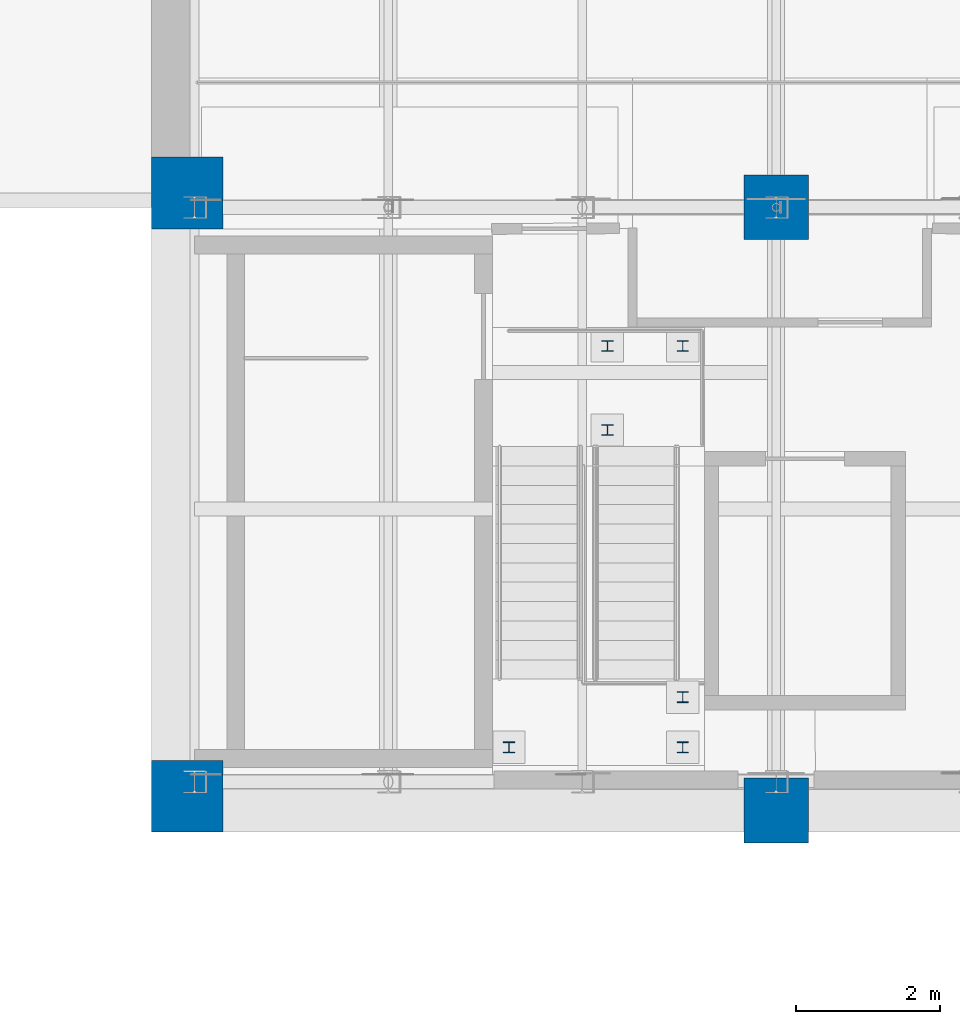
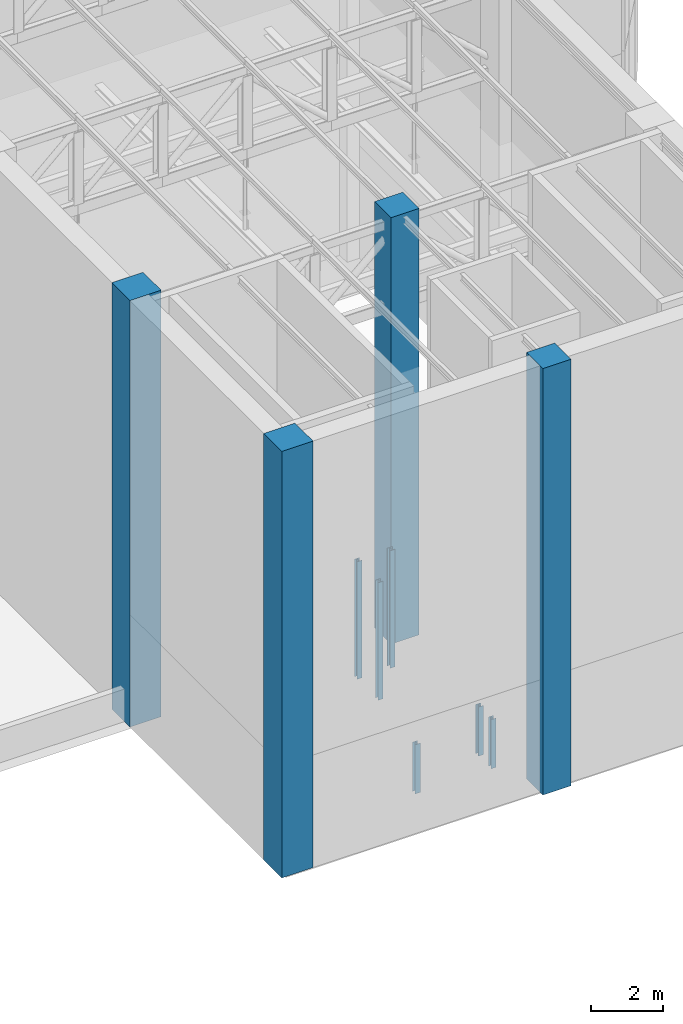
# One storey, part 1 of 68: 10 columns.
"""IFC4 building model written with IfcOpenShell, lengths in metres."""

from ifc_helpers import new_model, si_unit, direction, frame, origin, origin_2d, place, context, subcontext, project, spatial, rectangle, i_section, extrude, material, material_profile, profile_set, type_object, element, save


model = new_model("IFC4")

# Units and contexts
model_context = context("Model", 3, precision=1e-05, world=origin(), true_north=direction((0.0, 1.0)))
body_context = subcontext(model_context, "Body", "Model", "MODEL_VIEW")
ifc_project = project(units=[si_unit("LENGTHUNIT", "METRE"), si_unit("AREAUNIT", "SQUARE_METRE"), si_unit("VOLUMEUNIT", "CUBIC_METRE"), si_unit("PLANEANGLEUNIT", "RADIAN"), si_unit("MASSUNIT", "GRAM", prefix="KILO")], contexts=[model_context])

# Site, building, storey
site_placement = place(None, origin())
site = spatial("IfcSite", under=ifc_project, at=site_placement, CompositionType="ELEMENT")
building_placement = place(site_placement, origin())
building = spatial("IfcBuilding", under=site, at=building_placement, Name="Larchfold Concert Hall", CompositionType="ELEMENT")
storey_placement = place(building_placement, frame((0.0, 0.0, 28.800048828125)))
storey = spatial("IfcBuildingStorey", under=building, at=storey_placement, Name="L06", CompositionType="ELEMENT", Elevation=28.800048828125)

# Columns
ifc_material_1 = material(Name="Concrete C35/45", Category="concrete")
ifc_material_profile_1 = material_profile(ifc_material_1, rectangle(XDim=1.0, YDim=1.0, at=origin_2d()))
ifc_profile_set_1 = profile_set([ifc_material_profile_1], Name="Concrete C35/45")
column_type_1 = type_object("IfcColumnType", Name="Column RC 1000x1000", PredefinedType="COLUMN", material=ifc_profile_set_1)
for number, where, z_axis, x_axis, name in (
    (1, (34.39990234375, 34.39990234375, 0.0), (0.0, 0.0, 1.0), (1.0, 0.0, 0.0), "Column C0001"),
    (2, (34.39990234375, 42.800048828125, 0.0), (0.0, 0.0, 1.0), (1.0, 0.0, 0.0), "Column C0002"),
):
    element("IfcColumn", number, at=place(storey_placement, frame(where, z_axis=z_axis, x_axis=x_axis)), inside=storey, type_object=column_type_1, Name=name, PredefinedType="COLUMN", context=body_context, shape_type="SweptSolid", body=[
        extrude(rectangle(XDim=1.0, YDim=1.0, at=origin_2d()), origin(), (0.0, 0.0, 1.0), 14.39990234375),
    ])
ifc_material_2 = material(Name="Concrete C35/45", Category="concrete")
ifc_material_profile_2 = material_profile(ifc_material_2, rectangle(XDim=0.89990234375, YDim=0.89990234375, at=origin_2d()))
ifc_profile_set_2 = profile_set([ifc_material_profile_2], Name="Concrete C35/45")
column_type_2 = type_object("IfcColumnType", Name="Column RC 900x900", PredefinedType="COLUMN", material=ifc_profile_set_2)
for number, where, z_axis, x_axis, name in (
    (3, (42.60009765625, 34.199951171875, 0.0), (0.0, 0.0, 1.0), (1.0, 0.0, 0.0), "Column C0005"),
    (4, (42.60009765625, 42.60009765625, 0.0), (0.0, 0.0, 1.0), (1.0, 0.0, 0.0), "Column C0006"),
):
    element("IfcColumn", number, at=place(storey_placement, frame(where, z_axis=z_axis, x_axis=x_axis)), inside=storey, type_object=column_type_2, Name=name, PredefinedType="COLUMN", context=body_context, shape_type="SweptSolid", body=[
        extrude(rectangle(XDim=0.89990234375, YDim=0.89990234375, at=origin_2d()), origin(), (0.0, 0.0, 1.0), 14.39990234375),
    ])
ifc_material_3 = material(Name="Steel S355", Category="steel")
ifc_material_profile_3 = material_profile(ifc_material_3, i_section(OverallWidth=0.159912109375, OverallDepth=0.152099609375, WebThickness=0.006103515625, FlangeThickness=0.009033203125, FilletRadius=0.014892578125, at=origin_2d()))
ifc_profile_set_3 = profile_set([ifc_material_profile_3], Name="Steel S355")
column_type_3 = type_object("IfcColumnType", Name="Steel column HEA 160", PredefinedType="COLUMN", material=ifc_profile_set_3)
for number, where, z_axis, x_axis, name in (
    (5, (38.8798828125, 35.080078125, 0.449951171875), (0.0, 0.0, 1.0), (1.0, 0.0, 0.0), "Column C0011"),
    (6, (41.300048828125, 35.080078125, 0.449951171875), (0.0, 0.0, 1.0), (1.0, 0.0, 0.0), "Column C0012"),
    (7, (41.300048828125, 35.780029296875, 0.449951171875), (0.0, 0.0, 1.0), (1.0, 0.0, 0.0), "Column C0013"),
):
    element("IfcColumn", number, at=place(storey_placement, frame(where, z_axis=z_axis, x_axis=x_axis)), inside=storey, type_object=column_type_3, Name=name, PredefinedType="COLUMN", context=body_context, shape_type="SweptSolid", body=[
        extrude(i_section(OverallWidth=0.159912109375, OverallDepth=0.152099609375, WebThickness=0.006103515625, FlangeThickness=0.009033203125, FilletRadius=0.014892578125, at=origin_2d()), origin(), (0.0, 0.0, 1.0), 1.659423828125),
    ])
for number, where, z_axis, x_axis, name in (
    (8, (40.25, 39.5, 0.449951171875), (0.0, 0.0, 1.0), (1.0, 0.0, 0.0), "Column C0014"),
    (9, (40.25, 40.669921875, 0.449951171875), (0.0, 0.0, 1.0), (1.0, 0.0, 0.0), "Column C0015"),
    (10, (41.300048828125, 40.669921875, 0.449951171875), (0.0, 0.0, 1.0), (1.0, 0.0, 0.0), "Column C0016"),
):
    element("IfcColumn", number, at=place(storey_placement, frame(where, z_axis=z_axis, x_axis=x_axis)), inside=storey, type_object=column_type_3, Name=name, PredefinedType="COLUMN", context=body_context, shape_type="SweptSolid", body=[
        extrude(i_section(OverallWidth=0.159912109375, OverallDepth=0.152099609375, WebThickness=0.006103515625, FlangeThickness=0.009033203125, FilletRadius=0.014892578125, at=origin_2d()), origin(), (0.0, 0.0, 1.0), 3.96875),
    ])

save(model, "model.ifc")
